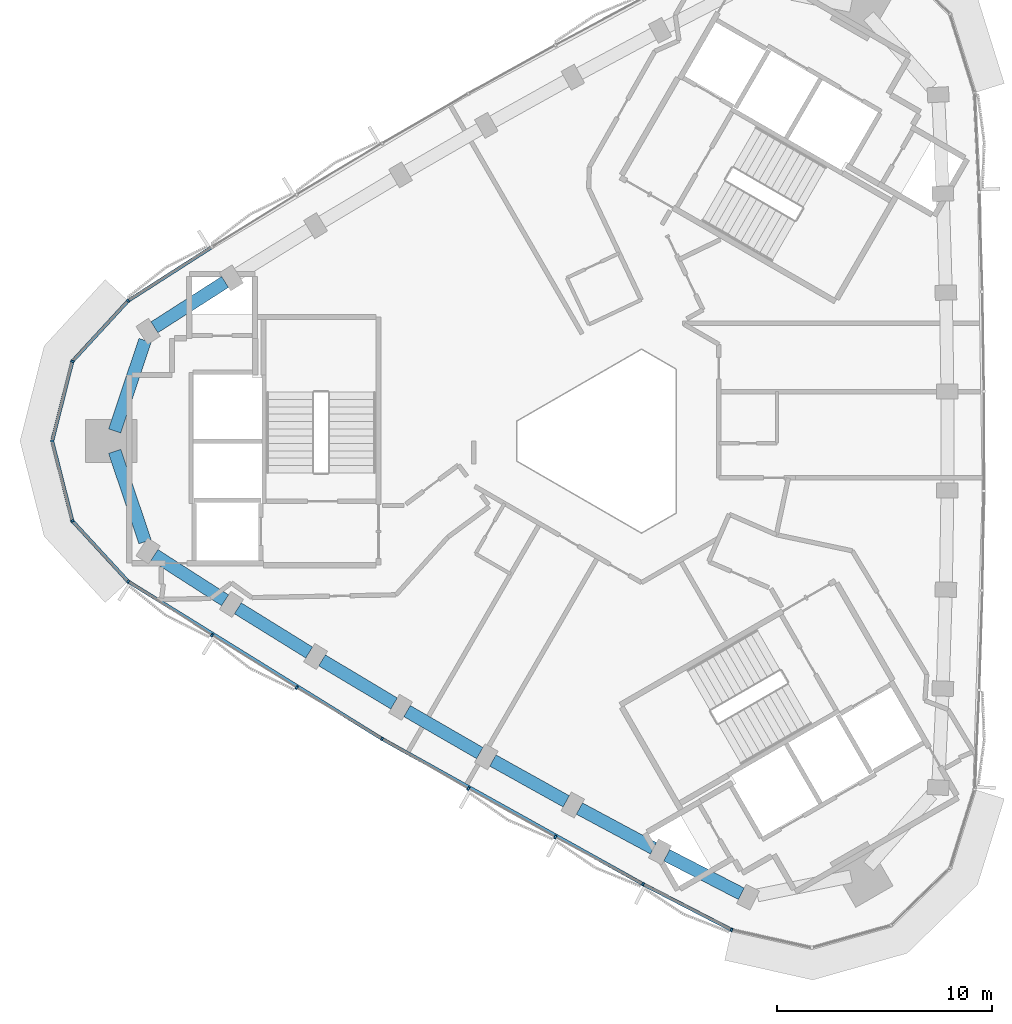
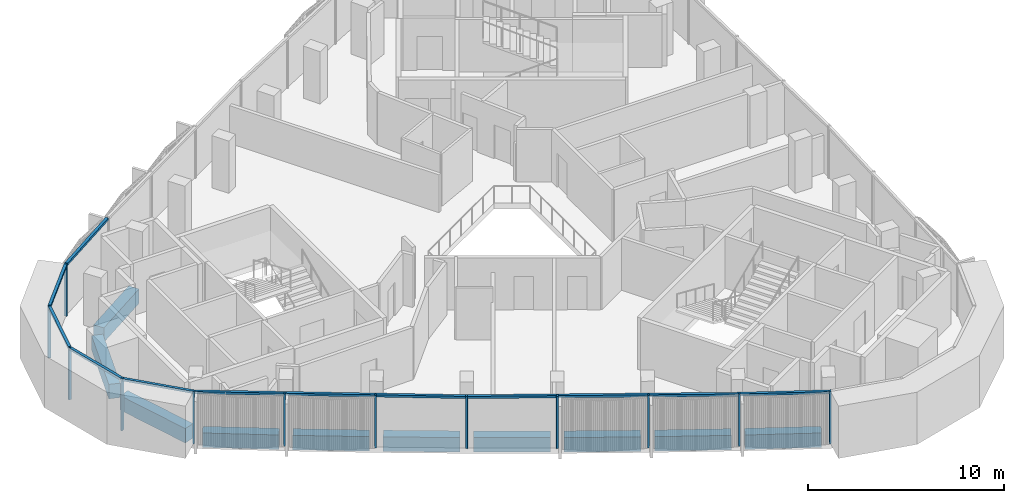
# One storey, part 2 of 12: 20 members, 10 beams, 2 elements without a shape of their own.
"""IFC4 building model written with IfcOpenShell, lengths in metres."""

from ifc_helpers import new_model, si_unit, direction, frame, origin, origin_2d, place, context, subcontext, project, spatial, rectangle, extrude, material, material_profile, profile_set, type_object, element, aggregate, save


model = new_model("IFC4")

# Units and contexts
model_context = context("Model", 3, precision=1e-05, world=origin(), true_north=direction((0.0, 1.0)))
body_context = subcontext(model_context, "Body", "Model", "MODEL_VIEW")
ifc_project = project(units=[si_unit("LENGTHUNIT", "METRE"), si_unit("AREAUNIT", "SQUARE_METRE"), si_unit("VOLUMEUNIT", "CUBIC_METRE"), si_unit("PLANEANGLEUNIT", "RADIAN"), si_unit("MASSUNIT", "GRAM", prefix="KILO")], contexts=[model_context])

# Site, building, storey
site_placement = place(None, origin())
site = spatial("IfcSite", under=ifc_project, at=site_placement, CompositionType="ELEMENT")
building_placement = place(site_placement, origin())
building = spatial("IfcBuilding", under=site, at=building_placement, Name="Tamra Quay Hotel Tower", CompositionType="ELEMENT")
storey_placement = place(building_placement, frame((0.0, 0.0, 269.39990234375)))
storey = spatial("IfcBuildingStorey", under=building, at=storey_placement, Name="L68", CompositionType="ELEMENT", Elevation=269.39990234375)

# Curtain wall, members
ifc_material_1 = material(Name="Aluminium 6063 anodised dark grey", Category="aluminium")
curtain_wall_type_1 = type_object("IfcCurtainWallType", Name="CW2 CURTAIN WALL", PredefinedType="NOTDEFINED", material=ifc_material_1)
curtain_wall_1_placement = place(storey_placement, origin())
curtain_wall_1 = element("IfcCurtainWall", 1, at=curtain_wall_1_placement, inside=storey, type_object=curtain_wall_type_1, Name="CW2 north-west face L68", PredefinedType="NOTDEFINED")
ifc_material_profile_1 = material_profile(ifc_material_1, rectangle(XDim=0.159912109375, YDim=0.10009765625, at=origin_2d()), Name="MULLION 100X160")
ifc_profile_set_1 = profile_set([ifc_material_profile_1], Name="Aluminium 6063 anodised dark grey")
member_type_1 = type_object("IfcMemberType", Name="MULLION CW2 Z6", PredefinedType="MULLION", material=ifc_profile_set_1)
member_1_placement = place(storey_placement, frame((-22.488525390625, 6.530517578125, 0.0), z_axis=(0.0, 0.0, 1.0), x_axis=(-0.643086474198, 0.765793566638, 0.0)))
member_1 = element("IfcMember", 2, at=member_1_placement, type_object=member_type_1, Name="CW2 mullion L68.NW.8", PredefinedType="MULLION", context=body_context, shape_type="SweptSolid", body=[
    extrude(rectangle(XDim=0.159912109375, YDim=0.10009765625, at=origin_2d()), origin(), (0.0, 0.0, 1.0), 3.25),
])
member_2_placement = place(storey_placement, frame((-25.0830078125, 3.712890625, 0.0), z_axis=(0.0, 0.0, 1.0), x_axis=(-0.879433050093, 0.476022594427, 0.0)))
member_2 = element("IfcMember", 3, at=member_2_placement, type_object=member_type_1, Name="CW2 mullion L68.NW.9", PredefinedType="MULLION", context=body_context, shape_type="SweptSolid", body=[
    extrude(rectangle(XDim=0.159912109375, YDim=0.10009765625, at=origin_2d()), origin(), (0.0, 0.0, 1.0), 3.25),
])
member_3_placement = place(storey_placement, frame((-26.0234375, 0.0, 0.0), z_axis=(0.0, 0.0, 1.0), x_axis=(-1.0, 0.0, 0.0)))
member_3 = element("IfcMember", 4, at=member_3_placement, type_object=member_type_1, Name="CW2 mullion L68.NW.10", PredefinedType="MULLION", context=body_context, shape_type="SweptSolid", body=[
    extrude(rectangle(XDim=0.159912109375, YDim=0.10009765625, at=origin_2d()), origin(), (0.0, 0.0, 1.0), 3.25),
])
member_4_placement = place(storey_placement, frame((-25.0830078125, -3.712890625, 0.0), z_axis=(0.0, 0.0, 1.0), x_axis=(-0.879433050093, -0.476022594427, 0.0)))
member_4 = element("IfcMember", 5, at=member_4_placement, type_object=member_type_1, Name="CW2 mullion L68.NW.11", PredefinedType="MULLION", context=body_context, shape_type="SweptSolid", body=[
    extrude(rectangle(XDim=0.159912109375, YDim=0.10009765625, at=origin_2d()), origin(), (0.0, 0.0, 1.0), 3.25),
])

curtain_wall_type_2 = type_object("IfcCurtainWallType", Name="CW3 CURTAIN WALL", PredefinedType="NOTDEFINED", material=ifc_material_1)
curtain_wall_2_placement = place(storey_placement, origin())
curtain_wall_2 = element("IfcCurtainWall", 6, at=curtain_wall_2_placement, inside=storey, type_object=curtain_wall_type_2, Name="CW3 south-west face L68", PredefinedType="NOTDEFINED")
ifc_material_profile_2 = material_profile(ifc_material_1, rectangle(XDim=0.159912109375, YDim=0.10009765625, at=origin_2d()), Name="MULLION 100X160")
ifc_profile_set_2 = profile_set([ifc_material_profile_2], Name="Aluminium 6063 anodised dark grey")
member_type_2 = type_object("IfcMemberType", Name="MULLION CW3 Z6", PredefinedType="MULLION", material=ifc_profile_set_2)
member_5_placement = place(storey_placement, frame((-22.488525390625, -6.530517578125, 0.0), z_axis=(0.0, 0.0, 1.0), x_axis=(-0.643086474198, -0.765793566638, 0.0)))
member_5 = element("IfcMember", 7, at=member_5_placement, type_object=member_type_2, Name="CW3 mullion L68.SW.1", PredefinedType="MULLION", context=body_context, shape_type="SweptSolid", body=[
    extrude(rectangle(XDim=0.159912109375, YDim=0.10009765625, at=origin_2d()), origin(), (0.0, 0.0, 1.0), 3.25),
])
member_6_placement = place(storey_placement, frame((-18.587890625, -9.033203125, 0.0), z_axis=(0.0, 0.0, 1.0), x_axis=(-0.533422294029, -0.845849074146, 0.0)))
member_6 = element("IfcMember", 8, at=member_6_placement, type_object=member_type_2, Name="CW3 mullion L68.SW.2", PredefinedType="MULLION", context=body_context, shape_type="SweptSolid", body=[
    extrude(rectangle(XDim=0.159912109375, YDim=0.10009765625, at=origin_2d()), origin(), (0.0, 0.0, 1.0), 3.25),
])
member_7_placement = place(storey_placement, frame((-14.64990234375, -11.473876953125, 0.0), z_axis=(0.0, 0.0, 1.0), x_axis=(-0.520160390508, -0.854068596862, 0.0)))
member_7 = element("IfcMember", 9, at=member_7_placement, type_object=member_type_2, Name="CW3 mullion L68.SW.3", PredefinedType="MULLION", context=body_context, shape_type="SweptSolid", body=[
    extrude(rectangle(XDim=0.159912109375, YDim=0.10009765625, at=origin_2d()), origin(), (0.0, 0.0, 1.0), 3.25),
])
member_8_placement = place(storey_placement, frame((-10.673583984375, -13.853271484375, 0.0), z_axis=(0.0, 0.0, 1.0), x_axis=(-0.506753957891, -0.862090729658, 0.0)))
member_8 = element("IfcMember", 10, at=member_8_placement, type_object=member_type_2, Name="CW3 mullion L68.SW.4", PredefinedType="MULLION", context=body_context, shape_type="SweptSolid", body=[
    extrude(rectangle(XDim=0.159912109375, YDim=0.10009765625, at=origin_2d()), origin(), (0.0, 0.0, 1.0), 3.25),
])
member_9_placement = place(storey_placement, frame((-6.660400390625, -16.170166015625, 0.0), z_axis=(0.0, 0.0, 1.0), x_axis=(-0.493215493305, -0.869907165831, 0.0)))
member_9 = element("IfcMember", 11, at=member_9_placement, type_object=member_type_2, Name="CW3 mullion L68.SW.5", PredefinedType="MULLION", context=body_context, shape_type="SweptSolid", body=[
    extrude(rectangle(XDim=0.159912109375, YDim=0.10009765625, at=origin_2d()), origin(), (0.0, 0.0, 1.0), 3.25),
])
member_10_placement = place(storey_placement, frame((-2.611572265625, -18.424072265625, 0.0), z_axis=(0.0, 0.0, 1.0), x_axis=(-0.479564906203, -0.877506410654, 0.0)))
member_10 = element("IfcMember", 12, at=member_10_placement, type_object=member_type_2, Name="CW3 mullion L68.SW.6", PredefinedType="MULLION", context=body_context, shape_type="SweptSolid", body=[
    extrude(rectangle(XDim=0.159912109375, YDim=0.10009765625, at=origin_2d()), origin(), (0.0, 0.0, 1.0), 3.25),
])
member_11_placement = place(storey_placement, frame((1.470947265625, -20.6142578125, 0.0), z_axis=(0.0, 0.0, 1.0), x_axis=(-0.465815638963, -0.884881794647, 0.0)))
member_11 = element("IfcMember", 13, at=member_11_placement, type_object=member_type_2, Name="CW3 mullion L68.SW.7", PredefinedType="MULLION", context=body_context, shape_type="SweptSolid", body=[
    extrude(rectangle(XDim=0.159912109375, YDim=0.10009765625, at=origin_2d()), origin(), (0.0, 0.0, 1.0), 3.25),
])
member_12_placement = place(storey_placement, frame((5.588623046875, -22.740966796875, 0.0), z_axis=(0.0, 0.0, 1.0), x_axis=(-0.341653445664, -0.939826006804, 0.0)))
member_12 = element("IfcMember", 14, at=member_12_placement, type_object=member_type_2, Name="CW3 mullion L68.SW.8", PredefinedType="MULLION", context=body_context, shape_type="SweptSolid", body=[
    extrude(rectangle(XDim=0.159912109375, YDim=0.10009765625, at=origin_2d()), origin(), (0.0, 0.0, 1.0), 3.25),
])

# Beams
ifc_material_2 = material(Name="Concrete M60", Category="concrete")
ifc_material_profile_3 = material_profile(ifc_material_2, rectangle(XDim=0.60009765625, YDim=0.89990234375, at=origin_2d()), Name="SPANDREL BEAM RC 600x900")
ifc_profile_set_3 = profile_set([ifc_material_profile_3], Name="Concrete M60")
beam_type = type_object("IfcBeamType", Name="SPANDREL BEAM RC 600x900", PredefinedType="SPANDREL", material=ifc_profile_set_3)
beam_1_placement = place(storey_placement, frame((-17.97607421875, 7.406005859375, -0.7998046875), z_axis=(-0.841679613882, -0.539977247276, 0.0), x_axis=(0.539977247276, -0.841679613882, 0.0)))
element("IfcBeam", 15, at=beam_1_placement, inside=storey, type_object=beam_type, Name="BM-SP6-015-L68", PredefinedType="SPANDREL", context=body_context, shape_type="SweptSolid", body=[
    extrude(rectangle(XDim=0.60009765625, YDim=0.89990234375, at=origin_2d()), origin(), (0.0, 0.0, 1.0), 3.906982421875),
])
for number, where, z_axis, x_axis, name in (
    (16, (-21.70068359375, 4.6845703125, -0.7998046875), (-0.318271531925, -0.947999594919, 0.0), (0.947999594919, -0.318271531925, 0.0), "BM-SP6-016-L68"),
    (17, (-23.114501953125, -0.473388671875, -0.7998046875), (0.318271531925, -0.947999594919, 0.0), (0.947999594919, 0.318271531925, 0.0), "BM-SP6-017-L68"),
):
    element("IfcBeam", number, at=place(storey_placement, frame(where, z_axis=z_axis, x_axis=x_axis)), inside=storey, type_object=beam_type, Name=name, PredefinedType="SPANDREL", context=body_context, shape_type="SweptSolid", body=[
        extrude(rectangle(XDim=0.60009765625, YDim=0.89990234375, at=origin_2d()), origin(), (0.0, 0.0, 1.0), 4.442138671875),
    ])
beam_2_placement = place(storey_placement, frame((-21.264404296875, -5.29638671875, -0.7998046875), z_axis=(0.841679613882, -0.539977247276, 0.0), x_axis=(0.539977247276, 0.841679613882, 0.0)))
element("IfcBeam", 18, at=beam_2_placement, inside=storey, type_object=beam_type, Name="BM-SP6-018-L68", PredefinedType="SPANDREL", context=body_context, shape_type="SweptSolid", body=[
    extrude(rectangle(XDim=0.60009765625, YDim=0.89990234375, at=origin_2d()), origin(), (0.0, 0.0, 1.0), 3.906982421875),
])
beam_3_placement = place(storey_placement, frame((-17.384033203125, -7.779296875, -0.7998046875), z_axis=(0.849972078006, -0.526827739029, 0.0), x_axis=(0.526827739029, 0.849972078006, 0.0)))
element("IfcBeam", 19, at=beam_3_placement, inside=storey, type_object=beam_type, Name="BM-SP6-019-L68", PredefinedType="SPANDREL", context=body_context, shape_type="SweptSolid", body=[
    extrude(rectangle(XDim=0.60009765625, YDim=0.89990234375, at=origin_2d()), origin(), (0.0, 0.0, 1.0), 3.907470703125),
])
beam_4_placement = place(storey_placement, frame((-13.465087890625, -10.201904296875, -0.7998046875), z_axis=(0.858120821909, -0.513447811376, 0.0), x_axis=(0.513447811376, 0.858120821909, 0.0)))
element("IfcBeam", 20, at=beam_4_placement, inside=storey, type_object=beam_type, Name="BM-SP6-020-L68", PredefinedType="SPANDREL", context=body_context, shape_type="SweptSolid", body=[
    extrude(rectangle(XDim=0.60009765625, YDim=0.89990234375, at=origin_2d()), origin(), (0.0, 0.0, 1.0), 3.9072265625),
])
for number, where, z_axis, x_axis, name in (
    (21, (-9.5087890625, -12.562744140625, -0.7998046875), (0.866011803689, -0.500023555316, 0.0), (0.500023555316, 0.866011803689, 0.0), "BM-SP6-021-L68"),
    (22, (-5.516357421875, -14.861572265625, -0.7998046875), (0.873726581477, -0.486417373066, 0.0), (0.486417373066, 0.873726581477, 0.0), "BM-SP6-022-L68"),
):
    element("IfcBeam", number, at=place(storey_placement, frame(where, z_axis=z_axis, x_axis=x_axis)), inside=storey, type_object=beam_type, Name=name, PredefinedType="SPANDREL", context=body_context, shape_type="SweptSolid", body=[
        extrude(rectangle(XDim=0.60009765625, YDim=0.89990234375, at=origin_2d()), origin(), (0.0, 0.0, 1.0), 3.906982421875),
    ])
beam_5_placement = place(storey_placement, frame((-1.488525390625, -17.09765625, -0.7998046875), z_axis=(0.88123835064, -0.472672158437, 0.0), x_axis=(0.472672158437, 0.88123835064, 0.0)))
element("IfcBeam", 23, at=beam_5_placement, inside=storey, type_object=beam_type, Name="BM-SP6-023-L68", PredefinedType="SPANDREL", context=body_context, shape_type="SweptSolid", body=[
    extrude(rectangle(XDim=0.60009765625, YDim=0.89990234375, at=origin_2d()), origin(), (0.0, 0.0, 1.0), 3.907470703125),
])
beam_6_placement = place(storey_placement, frame((2.57421875, -19.270751953125, -0.7998046875), z_axis=(0.888476019227, -0.458923047208, 0.0), x_axis=(0.458923047208, 0.888476019227, 0.0)))
element("IfcBeam", 24, at=beam_6_placement, inside=storey, type_object=beam_type, Name="BM-SP6-024-L68", PredefinedType="SPANDREL", context=body_context, shape_type="SweptSolid", body=[
    extrude(rectangle(XDim=0.60009765625, YDim=0.89990234375, at=origin_2d()), origin(), (0.0, 0.0, 1.0), 3.906982421875),
])

# Member
ifc_material_profile_4 = material_profile(ifc_material_1, rectangle(XDim=0.159912109375, YDim=0.139892578125, at=origin_2d()), Name="TRANSOM 160X140")
ifc_profile_set_4 = profile_set([ifc_material_profile_4], Name="Aluminium 6063 anodised dark grey")
member_type_3 = type_object("IfcMemberType", Name="TRANSOM CW2 Z6", PredefinedType="USERDEFINED", material=ifc_profile_set_4)
member_13_placement = place(storey_placement, frame((-18.6298828125, 9.006103515625, 3.18017578125), z_axis=(-0.841671458023, -0.539989959859, 0.0), x_axis=(0.539989959859, -0.841671458023, 0.0)))
member_13 = element("IfcMember", 25, at=member_13_placement, type_object=member_type_3, Name="CW2 transom L68.NW.7", ObjectType="TRANSOM", PredefinedType="USERDEFINED", context=body_context, shape_type="SweptSolid", body=[
    extrude(rectangle(XDim=0.159912109375, YDim=0.139892578125, at=origin_2d()), origin(), (0.0, 0.0, 1.0), 4.534423828125),
])

member_14_placement = place(storey_placement, frame((-22.522216796875, 6.493896484375, 3.18017578125), z_axis=(-0.677382568032, -0.735630924123, 0.0), x_axis=(0.735630924123, -0.677382568032, 0.0)))
member_14 = element("IfcMember", 26, at=member_14_placement, type_object=member_type_3, Name="CW2 transom L68.NW.8", ObjectType="TRANSOM", PredefinedType="USERDEFINED", context=body_context, shape_type="SweptSolid", body=[
    extrude(rectangle(XDim=0.159912109375, YDim=0.139892578125, at=origin_2d()), origin(), (0.0, 0.0, 1.0), 3.730224609375),
])

member_15_placement = place(storey_placement, frame((-25.09521484375, 3.66455078125, 3.18017578125), z_axis=(-0.245506732561, -0.96939488562, 0.0), x_axis=(0.96939488562, -0.245506732561, 0.0)))
member_15 = element("IfcMember", 27, at=member_15_placement, type_object=member_type_3, Name="CW2 transom L68.NW.9", ObjectType="TRANSOM", PredefinedType="USERDEFINED", context=body_context, shape_type="SweptSolid", body=[
    extrude(rectangle(XDim=0.159912109375, YDim=0.139892578125, at=origin_2d()), origin(), (0.0, 0.0, 1.0), 3.730224609375),
])

member_16_placement = place(storey_placement, frame((-26.010986328125, -0.048583984375, 3.18017578125), z_axis=(0.245506732561, -0.96939488562, 0.0), x_axis=(0.96939488562, 0.245506732561, 0.0)))
member_16 = element("IfcMember", 28, at=member_16_placement, type_object=member_type_3, Name="CW2 transom L68.NW.10", ObjectType="TRANSOM", PredefinedType="USERDEFINED", context=body_context, shape_type="SweptSolid", body=[
    extrude(rectangle(XDim=0.159912109375, YDim=0.139892578125, at=origin_2d()), origin(), (0.0, 0.0, 1.0), 3.730224609375),
])

member_17_placement = place(storey_placement, frame((-25.049072265625, -3.749755859375, 3.18017578125), z_axis=(0.677382568032, -0.735630924123, 0.0), x_axis=(0.735630924123, 0.677382568032, 0.0)))
member_17 = element("IfcMember", 29, at=member_17_placement, type_object=member_type_3, Name="CW2 transom L68.NW.11", ObjectType="TRANSOM", PredefinedType="USERDEFINED", context=body_context, shape_type="SweptSolid", body=[
    extrude(rectangle(XDim=0.159912109375, YDim=0.139892578125, at=origin_2d()), origin(), (0.0, 0.0, 1.0), 3.730224609375),
])

aggregate(curtain_wall_1, [member_13, member_1, member_14, member_2, member_15, member_3, member_16, member_4, member_17])

ifc_material_profile_5 = material_profile(ifc_material_1, rectangle(XDim=0.159912109375, YDim=0.139892578125, at=origin_2d()), Name="TRANSOM 160X140")
ifc_profile_set_5 = profile_set([ifc_material_profile_5], Name="Aluminium 6063 anodised dark grey")
member_type_4 = type_object("IfcMemberType", Name="TRANSOM CW3 Z6", PredefinedType="USERDEFINED", material=ifc_profile_set_5)
member_18_placement = place(storey_placement, frame((-22.4462890625, -6.5576171875, 3.18017578125), z_axis=(0.849981120272, -0.52681315016, 0.0), x_axis=(0.52681315016, 0.849981120272, 0.0)))
member_18 = element("IfcMember", 30, at=member_18_placement, type_object=member_type_4, Name="CW3 transom L68.SW.1", ObjectType="TRANSOM", PredefinedType="USERDEFINED", context=body_context, shape_type="SweptSolid", body=[
    extrude(rectangle(XDim=0.159912109375, YDim=0.139892578125, at=origin_2d()), origin(), (0.0, 0.0, 1.0), 13.800048828125),
])

member_19_placement = place(storey_placement, frame((-10.63037109375, -13.878173828125, 3.18017578125), z_axis=(0.873726321202, -0.486417840585, 0.0), x_axis=(0.486417840585, 0.873726321202, 0.0)))
member_19 = element("IfcMember", 31, at=member_19_placement, type_object=member_type_4, Name="CW3 transom L68.SW.4", ObjectType="TRANSOM", PredefinedType="USERDEFINED", context=body_context, shape_type="SweptSolid", body=[
    extrude(rectangle(XDim=0.159912109375, YDim=0.139892578125, at=origin_2d()), origin(), (0.0, 0.0, 1.0), 13.799560546875),
])

member_20_placement = place(storey_placement, frame((1.515380859375, -20.63720703125, 3.18017578125), z_axis=(0.888492499953, -0.45889113908, 0.0), x_axis=(0.45889113908, 0.888492499953, 0.0)))
member_20 = element("IfcMember", 32, at=member_20_placement, type_object=member_type_4, Name="CW3 transom L68.SW.7", ObjectType="TRANSOM", PredefinedType="USERDEFINED", context=body_context, shape_type="SweptSolid", body=[
    extrude(rectangle(XDim=0.159912109375, YDim=0.139892578125, at=origin_2d()), origin(), (0.0, 0.0, 1.0), 4.534423828125),
])

aggregate(curtain_wall_2, [member_5, member_18, member_6, member_7, member_8, member_19, member_9, member_10, member_11, member_20, member_12])

save(model, "model.ifc")
